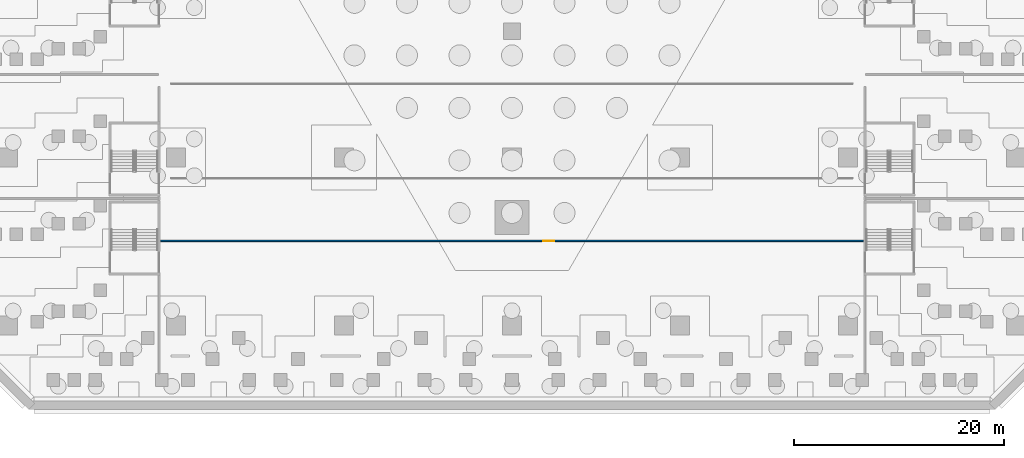
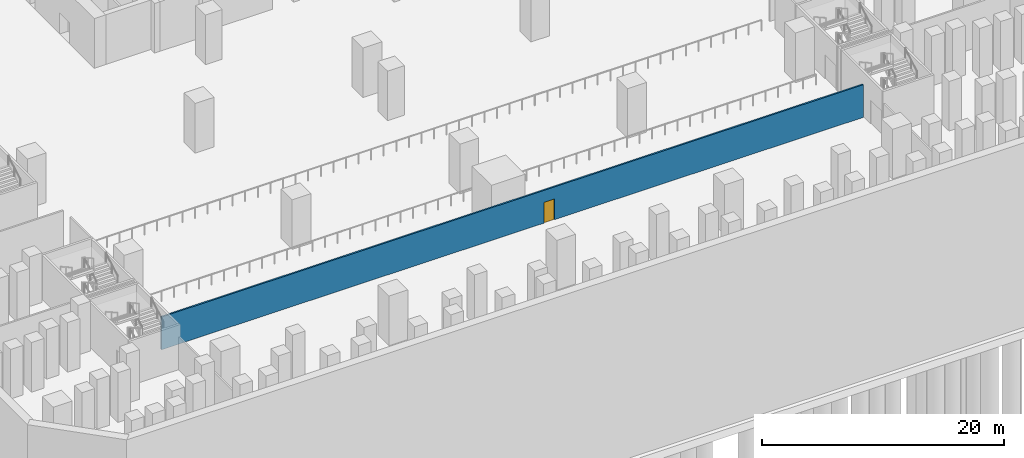
# One storey, part 7 of 27: 1 door, 1 wall, 1 opening.
"""IFC4 building model written with IfcOpenShell, lengths in metres."""

from ifc_helpers import new_model, si_unit, direction, frame, frame_2d, origin, place, context, subcontext, project, spatial, rectangle, extrude, material, layer, layer_set, type_object, element, fill, save


model = new_model("IFC4")

# Units and contexts
model_context = context("Model", 3, precision=1e-05, world=origin(), true_north=direction((0.0, 1.0)))
body_context = subcontext(model_context, "Body", "Model", "MODEL_VIEW")
ifc_project = project(units=[si_unit("LENGTHUNIT", "METRE"), si_unit("AREAUNIT", "SQUARE_METRE"), si_unit("VOLUMEUNIT", "CUBIC_METRE"), si_unit("PLANEANGLEUNIT", "RADIAN"), si_unit("MASSUNIT", "GRAM", prefix="KILO")], contexts=[model_context])

# Site, building, storey
site_placement = place(None, origin())
site = spatial("IfcSite", under=ifc_project, at=site_placement, CompositionType="ELEMENT")
building_placement = place(site_placement, origin())
building = spatial("IfcBuilding", under=site, at=building_placement, Name="Calabash Gate Tower", CompositionType="ELEMENT")
storey_placement = place(building_placement, frame((0.0, 0.0, -10.0)))
storey = spatial("IfcBuildingStorey", under=building, at=storey_placement, Name="B2", CompositionType="ELEMENT", Elevation=-10.0)

# Wall, opening, door
ifc_material_1 = material(Name="Gypsum board on steel studs, mineral wool", Category="steel")
ifc_layer = layer(ifc_material_1, 0.14990234375)
ifc_layer_set = layer_set([ifc_layer], Name="Partition 150 gypsum board")
wall_type = type_object("IfcWallType", Name="Partition 150 gypsum board", PredefinedType="PARTITIONING", material=ifc_layer_set)
wall_placement = place(storey_placement, frame((-33.4599609375, -31.949951171875, 0.0), z_axis=(0.0, 0.0, 1.0), x_axis=(1.0, 0.0, 0.0)))
wall = element("IfcWall", 1, at=wall_placement, inside=storey, type_object=wall_type, Name="Partition", PredefinedType="PARTITIONING", context=body_context, shape_type="SweptSolid", body=[
    extrude(rectangle(XDim=66.919921875, YDim=0.14990234375, at=frame_2d((33.4599609375, 0.0))), origin(), (0.0, 0.0, 1.0), 3.300048828125),
])
opening_placement = place(wall_placement, frame((36.458984375, 0.0, 0.0)))
opening = element("IfcOpeningElement", 2, at=opening_placement, cuts=wall, Name="Opening B2-042", PredefinedType="OPENING", context=body_context, shape_type="SweptSolid", body=[
    extrude(rectangle(XDim=1.0, YDim=2.10009765625, at=frame_2d((0.5, 1.050048828125))), frame((0.0, 0.0849609375, 0.0), z_axis=(0.0, -1.0, 0.0), x_axis=(1.0, 0.0, 0.0)), (0.0, 0.0, 1.0), 0.169921875),
])
ifc_material_2 = material(Name="Steel fire door set with fire-resisting glazing", Category="steel")
door_type = type_object("IfcDoorType", Name="Fire door D11 1000x2100 FD60", OperationType="NOTDEFINED", PredefinedType="DOOR", material=ifc_material_2)
door_placement = place(opening_placement, origin())
door = element("IfcDoor", 3, at=door_placement, inside=storey, type_object=door_type, Name="Station Back-of-house door", OperationType="SINGLE_SWING_LEFT", OverallHeight=2.10009765625, OverallWidth=1.0, PredefinedType="DOOR", context=body_context, shape_type="SweptSolid", body=[
    extrude(rectangle(XDim=1.0, YDim=2.10009765625, at=frame_2d((0.5, 1.050048828125))), frame((0.0, 0.02490234375, 0.0), z_axis=(0.0, -1.0, 0.0), x_axis=(1.0, 0.0, 0.0)), (0.0, 0.0, 1.0), 0.050048828125),
])
fill(opening, door)

save(model, "model.ifc")
